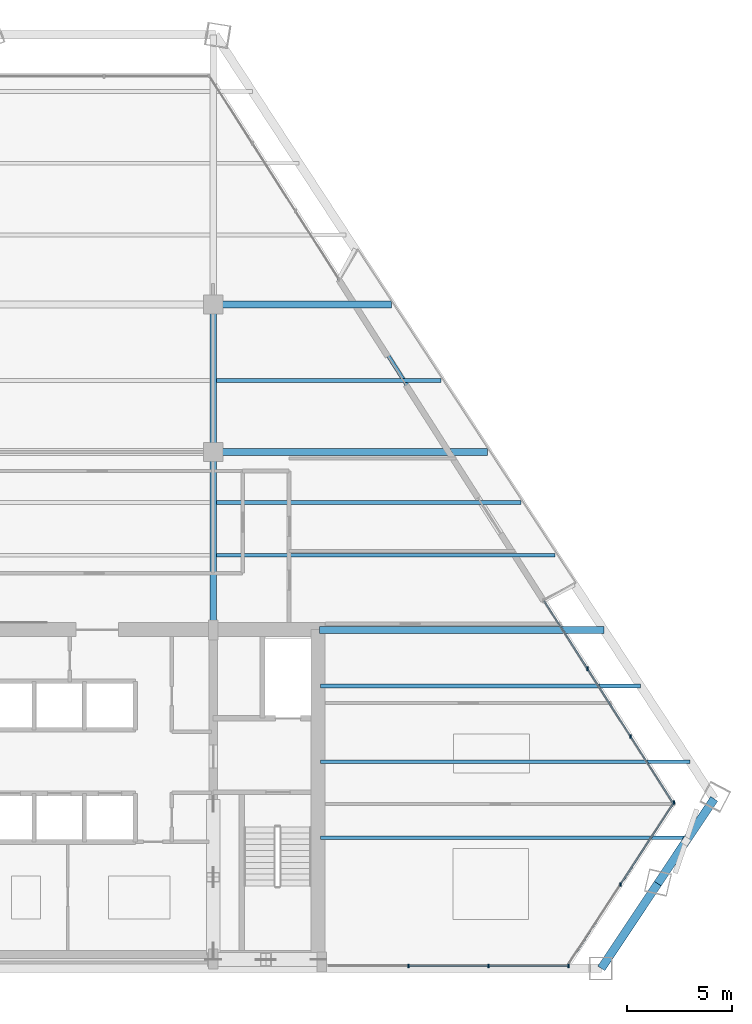
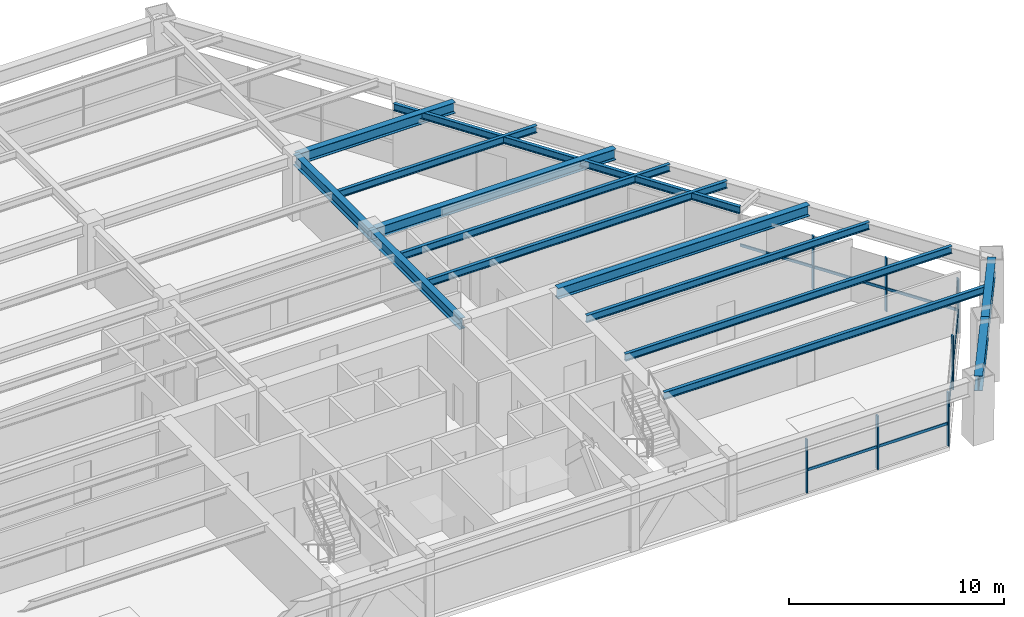
# One storey, part 6 of 15: 14 beams, 14 members, 3 elements without a shape of their own.
"""IFC4 building model written with IfcOpenShell, lengths in metres."""

import ifcopenshell
import ifcopenshell.guid

model = None  # the IFC model being written
_history = None  # IfcOwnerHistory: only IFC2X3 demands one
_inside = {}  # id of a spatial element -> (the spatial element, [elements in it])
_under = {}  # id of a project, library or spatial element -> (it, [spatial elements below it])
_declared = {}  # id of a project -> (the project, [libraries it declares])
_typed = {}  # id of a type object -> (the type object, [elements of that type])
_made_of = {}  # id of a material, layer set ... -> (it, [elements and type objects made of it])


def new_model(schema):
    """Start an empty IFC model of exactly this schema.

    Asked for "IFC4X3", IfcOpenShell would pick the latest addendum, in which some entities
    have other attributes; the version numbers below select the first issue.
    IFC2X3 requires an IfcOwnerHistory on every rooted entity: one is made here for all.
    """
    global model, _history
    if schema == "IFC4X3":
        model = ifcopenshell.file(schema_version=(4, 3, 0, 0))
    else:
        model = ifcopenshell.file(schema=schema)
    _inside.clear()
    _under.clear()
    _declared.clear()
    _typed.clear()
    _made_of.clear()
    _history = None
    if model.schema == "IFC2X3":
        org = make("IfcOrganization", Name="unknown")
        user = make(
            "IfcPersonAndOrganization",
            ThePerson=make("IfcPerson", FamilyName="unknown"),
            TheOrganization=org,
        )
        app = make(
            "IfcApplication",
            ApplicationDeveloper=org,
            Version="unknown",
            ApplicationFullName="unknown",
            ApplicationIdentifier="unknown",
        )
        _history = make(
            "IfcOwnerHistory",
            OwningUser=user,
            OwningApplication=app,
            ChangeAction="ADDED",
            CreationDate=0,
        )
    return model


def make(cls, **values):
    """One entity of the class cls with the attributes given. An attribute that is None is left unset."""
    return model.create_entity(
        cls, **{name: value for name, value in values.items() if value is not None}
    )


def rooted(cls, **values):
    """An entity with a GlobalId (a new one), such as an element, a storey or a relation."""
    return make(cls, GlobalId=ifcopenshell.guid.new(), OwnerHistory=_history, **values)


def si_unit(unit_type, name, prefix=None):
    """IfcSIUnit, for example si_unit("LENGTHUNIT", "METRE", prefix="MILLI")."""
    return make("IfcSIUnit", UnitType=unit_type, Prefix=prefix, Name=name)


def assignment(units):
    """IfcUnitAssignment: the units of a project."""
    return None if units is None else make("IfcUnitAssignment", Units=units)


def point(xyz):
    """IfcCartesianPoint."""
    return None if xyz is None else make("IfcCartesianPoint", Coordinates=xyz)


def direction(xyz):
    """IfcDirection."""
    return None if xyz is None else make("IfcDirection", DirectionRatios=xyz)


def frame(location, z_axis=None, x_axis=None):
    """IfcAxis2Placement3D, a coordinate frame: its origin and axes. An axis left out is left unset."""
    return make(
        "IfcAxis2Placement3D",
        Location=point(location),
        Axis=direction(z_axis),
        RefDirection=direction(x_axis),
    )


def frame_2d(location, x_axis=None):
    """IfcAxis2Placement2D, a coordinate frame in the plane: its origin and x axis."""
    return make(
        "IfcAxis2Placement2D", Location=point(location), RefDirection=direction(x_axis)
    )


def origin():
    """The frame at (0, 0, 0) with its axes left unset."""
    return frame((0.0, 0.0, 0.0))


def origin_2d():
    """The frame at (0, 0) in the plane with its x axis left unset."""
    return frame_2d((0.0, 0.0))


def place(relative_to, where):
    """IfcLocalPlacement: puts the frame where relative to a parent placement (None: the world)."""
    return make(
        "IfcLocalPlacement", PlacementRelTo=relative_to, RelativePlacement=where
    )


def context(
    kind, dimensions, precision=None, world=None, true_north=None, identifier=None
):
    """IfcGeometricRepresentationContext, for example the 3D "Model" context."""
    return make(
        "IfcGeometricRepresentationContext",
        ContextIdentifier=identifier,
        ContextType=kind,
        CoordinateSpaceDimension=dimensions,
        Precision=precision,
        WorldCoordinateSystem=world,
        TrueNorth=true_north,
    )


def subcontext(parent, identifier, kind, view, scale=None):
    """IfcGeometricRepresentationSubContext, for example "Body" below "Model"."""
    return make(
        "IfcGeometricRepresentationSubContext",
        ContextIdentifier=identifier,
        ContextType=kind,
        ParentContext=parent,
        TargetScale=scale,
        TargetView=view,
    )


def project(units=None, contexts=None):
    """IfcProject with its units and contexts."""
    return rooted(
        "IfcProject",
        Name="project",
        RepresentationContexts=contexts,
        UnitsInContext=assignment(units),
    )


def spatial(cls, under=None, at=None, **own):
    """A site, building, storey or space (cls), placed at a placement, below another one or the project."""
    s = rooted(cls, ObjectPlacement=at, **own)
    if under is not None:
        _under.setdefault(under.id(), (under, []))[1].append(s)
    return s


def profile(cls, at=None, kind="AREA", **sizes):
    """A parametric profile (cls). Its sizes go by their IFC names, for example OverallWidth=200.0."""
    return make(cls, ProfileType=kind, Position=at, **sizes)


def rectangle(**sizes):
    """IfcRectangleProfileDef."""
    return profile("IfcRectangleProfileDef", **sizes)


def i_section(**sizes):
    """IfcIShapeProfileDef."""
    return profile("IfcIShapeProfileDef", **sizes)


def extrude(swept, where, along, depth):
    """IfcExtrudedAreaSolid: the profile swept, set in the frame where, extruded along a direction by depth."""
    return make(
        "IfcExtrudedAreaSolid",
        SweptArea=swept,
        Position=where,
        ExtrudedDirection=direction(along),
        Depth=depth,
    )


def shape(context_of_items, identifier, shape_type, items):
    """IfcShapeRepresentation: the items that make up one representation, for example the "Body"."""
    return make(
        "IfcShapeRepresentation",
        ContextOfItems=context_of_items,
        RepresentationIdentifier=identifier,
        RepresentationType=shape_type,
        Items=items,
    )


def source(mapping_origin, context_of_items, identifier, shape_type, items):
    """IfcRepresentationMap: a shape defined once, which mapped items show again and again."""
    return make(
        "IfcRepresentationMap",
        MappingOrigin=mapping_origin,
        MappedRepresentation=shape(context_of_items, identifier, shape_type, items),
    )


def transform(
    local_origin,
    x_axis=None,
    y_axis=None,
    z_axis=None,
    scale=None,
    scale2=None,
    scale3=None,
    uniform=True,
):
    """IfcCartesianTransformationOperator3D, or its non-uniform kind. x_axis, y_axis, z_axis: its Axis1, 2, 3."""
    if uniform:
        return make(
            "IfcCartesianTransformationOperator3D",
            Axis1=direction(x_axis),
            Axis2=direction(y_axis),
            LocalOrigin=point(local_origin),
            Scale=scale,
            Axis3=direction(z_axis),
        )
    return make(
        "IfcCartesianTransformationOperator3DnonUniform",
        Axis1=direction(x_axis),
        Axis2=direction(y_axis),
        LocalOrigin=point(local_origin),
        Scale=scale,
        Axis3=direction(z_axis),
        Scale2=scale2,
        Scale3=scale3,
    )


def mapped(mapping_source, mapping_target):
    """IfcMappedItem: shows the shape of a source again, moved by a transform."""
    return make(
        "IfcMappedItem", MappingSource=mapping_source, MappingTarget=mapping_target
    )


def material(Name=None, Category=None):
    """IfcMaterial."""
    return make("IfcMaterial", Name=Name, Category=Category)


def material_profile(
    of_material, cross_section, Name=None, Category=None, Priority=None
):
    """IfcMaterialProfile: a cross section and its material."""
    return make(
        "IfcMaterialProfile",
        Name=Name,
        Material=of_material,
        Profile=cross_section,
        Priority=Priority,
        Category=Category,
    )


def profile_set(profiles, Name=None, composite=None):
    """IfcMaterialProfileSet."""
    return make(
        "IfcMaterialProfileSet",
        Name=Name,
        MaterialProfiles=profiles,
        CompositeProfile=composite,
    )


def made_of(thing, what):
    """Note that an element or type object is made of a material, layer set ...; save() writes the relation."""
    if what is not None:
        _made_of.setdefault(what.id(), (what, []))[1].append(thing)
    return thing


def type_object(cls, material=None, **own):
    """A type object (cls), such as IfcWallType, which elements share."""
    return made_of(rooted(cls, **own), material)


def type_shapes(of_type, sources):
    """Give a type object the sources (RepresentationMaps) that its elements show as mapped items."""
    of_type.RepresentationMaps = sources


def element(
    cls,
    number,
    at=None,
    inside=None,
    cuts=None,
    type_object=None,
    material=None,
    context=None,
    identifier="Body",
    shape_type=None,
    held_by="IfcProductDefinitionShape",
    body=None,
    shapes=None,
    **own,
):
    """One element of the class cls, such as IfcWall. Its Tag is "e" and its number.

    at: its placement. inside: the storey or other place that contains it. cuts: it is an
    opening in that element (IfcRelVoidsElement). A single representation is given by context,
    identifier, shape_type and body (its items); several are given by shapes. held_by: the class
    of the entity that holds the representations. save() writes the other relations.
    """
    e = rooted(cls, Tag="e%d" % number, ObjectPlacement=at, **own)
    if body is not None:
        shapes = [shape(context, identifier, shape_type, body)]
    if shapes is not None:
        e.Representation = make(held_by, Representations=shapes)
    if inside is not None:
        _inside.setdefault(inside.id(), (inside, []))[1].append(e)
    if cuts is not None:
        rooted(
            "IfcRelVoidsElement", RelatingBuildingElement=cuts, RelatedOpeningElement=e
        )
    if type_object is not None:
        _typed.setdefault(type_object.id(), (type_object, []))[1].append(e)
    return made_of(e, material)


def aggregate(whole, parts):
    """IfcRelAggregates: a whole, such as a stair, and the parts it consists of."""
    return rooted("IfcRelAggregates", RelatingObject=whole, RelatedObjects=parts)


def save(model, path):
    """Write the relations noted so far, then the file.

    IfcRelAggregates (storeys below a building ...), IfcRelContainedInSpatialStructure (elements
    in a storey), IfcRelDefinesByType, IfcRelAssociatesMaterial and IfcRelDeclares: one each for
    every whole, place, type object, material and project.
    """
    for whole, parts in _under.values():
        aggregate(whole, parts)
    for where, things in _inside.values():
        rooted(
            "IfcRelContainedInSpatialStructure",
            RelatedElements=things,
            RelatingStructure=where,
        )
    for kind, things in _typed.values():
        rooted("IfcRelDefinesByType", RelatedObjects=things, RelatingType=kind)
    for what, things in _made_of.values():
        rooted("IfcRelAssociatesMaterial", RelatedObjects=things, RelatingMaterial=what)
    for by, libraries in _declared.values():
        rooted("IfcRelDeclares", RelatingContext=by, RelatedDefinitions=libraries)
    model.write(path)


model = new_model("IFC4")

# Units and contexts
model_context = context("Model", 3, precision=1e-05, world=origin(), true_north=direction((0.0, 1.0)))
body_context = subcontext(model_context, "Body", "Model", "MODEL_VIEW")
ifc_project = project(units=[si_unit("LENGTHUNIT", "METRE"), si_unit("AREAUNIT", "SQUARE_METRE"), si_unit("VOLUMEUNIT", "CUBIC_METRE"), si_unit("PLANEANGLEUNIT", "RADIAN"), si_unit("MASSUNIT", "GRAM", prefix="KILO")], contexts=[model_context])

# Site, building, storey
site_placement = place(None, origin())
site = spatial("IfcSite", under=ifc_project, at=site_placement, CompositionType="ELEMENT")
building_placement = place(site_placement, origin())
building = spatial("IfcBuilding", under=site, at=building_placement, Name="Varnakhor Terracotta Tower", CompositionType="ELEMENT")
storey_placement = place(building_placement, frame((0.0, 0.0, 136.699951171875)))
storey = spatial("IfcBuildingStorey", under=building, at=storey_placement, Name="L34", CompositionType="ELEMENT", Elevation=136.699951171875)

# Beams
ifc_material_1 = material(Name="Steel S355", Category="steel")
ifc_material_profile_1 = material_profile(ifc_material_1, i_section(OverallWidth=0.324951171875, OverallDepth=0.615966796875, WebThickness=0.013916015625, FlangeThickness=0.02197265625, FilletRadius=0.01806640625, at=origin_2d()), Name="W24X117")
ifc_profile_set_1 = profile_set([ifc_material_profile_1], Name="Steel S355")
beam_type_1 = type_object("IfcBeamType", Name="BM-W24X117", PredefinedType="BEAM", material=ifc_profile_set_1)
shared_shape_1 = source(origin(), body_context, "Body", "SweptSolid", [
    extrude(i_section(OverallWidth=0.324951171875, OverallDepth=0.615966796875, WebThickness=0.013916015625, FlangeThickness=0.02197265625, FilletRadius=0.01806640625, at=origin_2d()), origin(), (0.0, 0.0, 1.0), 8.449951171875),
])
type_shapes(beam_type_1, [shared_shape_1])
beam_1_placement = place(storey_placement, frame((5.5, 16.050048828125, 3.162109375), z_axis=(0.0, 1.0, 0.0), x_axis=(-1.0, 0.0, 0.0)))
element("IfcBeam", 1, at=beam_1_placement, inside=storey, type_object=beam_type_1, Name="L34 Primary Girder NS1-E", PredefinedType="BEAM", context=body_context, shape_type="MappedRepresentation", body=[
    mapped(shared_shape_1, transform((0.0, 0.0, 0.0), scale=1.0)),
])
shared_shape_2 = source(origin(), body_context, "Body", "SweptSolid", [
    extrude(i_section(OverallWidth=0.324951171875, OverallDepth=0.615966796875, WebThickness=0.013916015625, FlangeThickness=0.02197265625, FilletRadius=0.01806640625, at=origin_2d()), origin(), (0.0, 0.0, 1.0), 7.0),
])
beam_2_placement = place(storey_placement, frame((5.5, 24.5, 3.162109375), z_axis=(0.0, 1.0, 0.0), x_axis=(-1.0, 0.0, 0.0)))
element("IfcBeam", 2, at=beam_2_placement, inside=storey, type_object=beam_type_1, Name="L34 Primary Girder NS2-E", PredefinedType="BEAM", context=body_context, shape_type="MappedRepresentation", body=[
    mapped(shared_shape_2, transform((0.0, 0.0, 0.0), scale=1.0)),
])
ifc_material_profile_2 = material_profile(ifc_material_1, i_section(OverallWidth=0.39990234375, OverallDepth=0.85498046875, WebThickness=0.01806640625, FlangeThickness=0.029052734375, FilletRadius=0.01806640625, at=origin_2d()), Name="W33X201")
ifc_profile_set_2 = profile_set([ifc_material_profile_2], Name="Steel S355")
beam_type_2 = type_object("IfcBeamType", Name="BM-W33X201", PredefinedType="BEAM", material=ifc_profile_set_2)
shared_shape_3 = source(origin(), body_context, "Body", "SweptSolid", [
    extrude(i_section(OverallWidth=0.39990234375, OverallDepth=0.85498046875, WebThickness=0.01806640625, FlangeThickness=0.029052734375, FilletRadius=0.01806640625, at=origin_2d()), origin(), (0.0, 0.0, 1.0), 4.8330078125),
])
for number, where, z_axis, x_axis, name in (
    (3, (23.912841796875, 0.0, 3.04248046875), (0.554292130367, 0.832322193753, 0.0), (-0.832322193753, 0.554292130367, 0.0), "L34 Perimeter Spandrel 2"),
    (4, (26.591796875, 4.022705078125, 3.04248046875), (0.554292130367, 0.832322193753, 0.0), (-0.832322193753, 0.554292130367, 0.0), "L34 Perimeter Spandrel 3"),
):
    element("IfcBeam", number, at=place(storey_placement, frame(where, z_axis=z_axis, x_axis=x_axis)), inside=storey, type_object=beam_type_2, Name=name, PredefinedType="BEAM", context=body_context, shape_type="MappedRepresentation", body=[
        mapped(shared_shape_3, transform((0.0, 0.0, 0.0), scale=1.0)),
    ])
ifc_material_profile_3 = material_profile(ifc_material_1, i_section(OverallWidth=0.179931640625, OverallDepth=0.39990234375, WebThickness=0.008544921875, FlangeThickness=0.013427734375, FilletRadius=0.01806640625, at=origin_2d()), Name="IPE400")
ifc_profile_set_3 = profile_set([ifc_material_profile_3], Name="Steel S355")
beam_type_3 = type_object("IfcBeamType", Name="JST-IPE400", PredefinedType="JOIST", material=ifc_profile_set_3)
shared_shape_4 = source(origin(), body_context, "Body", "SweptSolid", [
    extrude(i_section(OverallWidth=0.179931640625, OverallDepth=0.39990234375, WebThickness=0.008544921875, FlangeThickness=0.013427734375, FilletRadius=0.01806640625, at=origin_2d()), origin(), (0.0, 0.0, 1.0), 18.1328125),
])
beam_3_placement = place(storey_placement, frame((21.207763671875, 17.4462890625, 3.27001953125), z_axis=(-0.537399848663, 0.843327577313, 0.0), x_axis=(-0.843327577313, -0.537399848663, 0.0)))
element("IfcBeam", 5, at=beam_3_placement, inside=storey, type_object=beam_type_3, Name="L34 Loggia Edge Beam 1", PredefinedType="JOIST", context=body_context, shape_type="MappedRepresentation", body=[
    mapped(shared_shape_4, transform((0.0, 0.0, 0.0), scale=1.0)),
])
shared_shape_5 = source(origin(), body_context, "Body", "SweptSolid", [
    extrude(i_section(OverallWidth=0.324951171875, OverallDepth=0.615966796875, WebThickness=0.013916015625, FlangeThickness=0.02197265625, FilletRadius=0.01806640625, at=origin_2d()), origin(), (0.0, 0.0, 1.0), 13.4931640625),
])
beam_4_placement = place(storey_placement, frame((10.550048828125, 16.050048828125, 3.162109375), z_axis=(1.0, 0.0, 0.0), x_axis=(0.0, 1.0, 0.0)))
element("IfcBeam", 6, at=beam_4_placement, inside=storey, type_object=beam_type_1, Name="L34 Wing Girder E", PredefinedType="BEAM", context=body_context, shape_type="MappedRepresentation", body=[
    mapped(shared_shape_5, transform((0.0, 0.0, 0.0), scale=1.0)),
])
shared_shape_6 = source(origin(), body_context, "Body", "SweptSolid", [
    extrude(i_section(OverallWidth=0.324951171875, OverallDepth=0.615966796875, WebThickness=0.013916015625, FlangeThickness=0.02197265625, FilletRadius=0.01806640625, at=origin_2d()), origin(), (0.0, 0.0, 1.0), 13.0244140625),
])
beam_5_placement = place(storey_placement, frame((5.5, 24.5, 3.162109375), z_axis=(1.0, 0.0, 0.0), x_axis=(0.0, 1.0, 0.0)))
element("IfcBeam", 7, at=beam_5_placement, inside=storey, type_object=beam_type_1, Name="L34 Primary Girder EW2-3", PredefinedType="BEAM", context=body_context, shape_type="MappedRepresentation", body=[
    mapped(shared_shape_6, transform((0.0, 0.0, 0.0), scale=1.0)),
])
shared_shape_7 = source(origin(), body_context, "Body", "SweptSolid", [
    extrude(i_section(OverallWidth=0.324951171875, OverallDepth=0.615966796875, WebThickness=0.013916015625, FlangeThickness=0.02197265625, FilletRadius=0.01806640625, at=origin_2d()), origin(), (0.0, 0.0, 1.0), 8.452880859375),
])
beam_6_placement = place(storey_placement, frame((5.5, 31.5, 3.162109375), z_axis=(1.0, 0.0, 0.0), x_axis=(0.0, 1.0, 0.0)))
element("IfcBeam", 8, at=beam_6_placement, inside=storey, type_object=beam_type_1, Name="L34 Primary Girder EW3-3", PredefinedType="BEAM", context=body_context, shape_type="MappedRepresentation", body=[
    mapped(shared_shape_7, transform((0.0, 0.0, 0.0), scale=1.0)),
])
ifc_material_profile_4 = material_profile(ifc_material_1, i_section(OverallWidth=0.179931640625, OverallDepth=0.4130859375, WebThickness=0.009765625, FlangeThickness=0.01611328125, FilletRadius=0.01806640625, at=origin_2d()), Name="W16X50")
ifc_profile_set_4 = profile_set([ifc_material_profile_4], Name="Steel S355")
beam_type_4 = type_object("IfcBeamType", Name="JST-W16X50", PredefinedType="JOIST", material=ifc_profile_set_4)
shared_shape_8 = source(origin(), body_context, "Body", "SweptSolid", [
    extrude(i_section(OverallWidth=0.179931640625, OverallDepth=0.4130859375, WebThickness=0.009765625, FlangeThickness=0.01611328125, FilletRadius=0.01806640625, at=origin_2d()), origin(), (0.0, 0.0, 1.0), 17.441650390625),
])
beam_7_placement = place(storey_placement, frame((10.60009765625, 6.199951171875, 3.263427734375), z_axis=(1.0, 0.0, 0.0), x_axis=(0.0, 1.0, 0.0)))
element("IfcBeam", 9, at=beam_7_placement, inside=storey, type_object=beam_type_4, Name="L34 Floor Joist E1", PredefinedType="JOIST", context=body_context, shape_type="MappedRepresentation", body=[
    mapped(shared_shape_8, transform((0.0, 0.0, 0.0), scale=1.0)),
])
shared_shape_9 = source(origin(), body_context, "Body", "SweptSolid", [
    extrude(i_section(OverallWidth=0.179931640625, OverallDepth=0.4130859375, WebThickness=0.009765625, FlangeThickness=0.01611328125, FilletRadius=0.01806640625, at=origin_2d()), origin(), (0.0, 0.0, 1.0), 17.52490234375),
])
beam_8_placement = place(storey_placement, frame((10.60009765625, 9.800048828125, 3.263427734375), z_axis=(1.0, 0.0, 0.0), x_axis=(0.0, 1.0, 0.0)))
element("IfcBeam", 10, at=beam_8_placement, inside=storey, type_object=beam_type_4, Name="L34 Floor Joist E2", PredefinedType="JOIST", context=body_context, shape_type="MappedRepresentation", body=[
    mapped(shared_shape_9, transform((0.0, 0.0, 0.0), scale=1.0)),
])
shared_shape_10 = source(origin(), body_context, "Body", "SweptSolid", [
    extrude(i_section(OverallWidth=0.179931640625, OverallDepth=0.4130859375, WebThickness=0.009765625, FlangeThickness=0.01611328125, FilletRadius=0.01806640625, at=origin_2d()), origin(), (0.0, 0.0, 1.0), 15.173583984375),
])
beam_9_placement = place(storey_placement, frame((10.60009765625, 13.39990234375, 3.263427734375), z_axis=(1.0, 0.0, 0.0), x_axis=(0.0, 1.0, 0.0)))
element("IfcBeam", 11, at=beam_9_placement, inside=storey, type_object=beam_type_4, Name="L34 Floor Joist E3", PredefinedType="JOIST", context=body_context, shape_type="MappedRepresentation", body=[
    mapped(shared_shape_10, transform((0.0, 0.0, 0.0), scale=1.0)),
])
shared_shape_11 = source(origin(), body_context, "Body", "SweptSolid", [
    extrude(i_section(OverallWidth=0.179931640625, OverallDepth=0.4130859375, WebThickness=0.009765625, FlangeThickness=0.01611328125, FilletRadius=0.01806640625, at=origin_2d()), origin(), (0.0, 0.0, 1.0), 16.066162109375),
])
beam_10_placement = place(storey_placement, frame((5.658447265625, 19.60009765625, 3.263427734375), z_axis=(1.0, 0.0, 0.0), x_axis=(0.0, 1.0, 0.0)))
element("IfcBeam", 12, at=beam_10_placement, inside=storey, type_object=beam_type_4, Name="L34 Composite Floor Joist 4-3", PredefinedType="JOIST", context=body_context, shape_type="MappedRepresentation", body=[
    mapped(shared_shape_11, transform((0.0, 0.0, 0.0), scale=1.0)),
])
shared_shape_12 = source(origin(), body_context, "Body", "SweptSolid", [
    extrude(i_section(OverallWidth=0.179931640625, OverallDepth=0.4130859375, WebThickness=0.009765625, FlangeThickness=0.01611328125, FilletRadius=0.01806640625, at=origin_2d()), origin(), (0.0, 0.0, 1.0), 14.433349609375),
])
beam_11_placement = place(storey_placement, frame((5.658447265625, 22.10009765625, 3.263427734375), z_axis=(1.0, 0.0, 0.0), x_axis=(0.0, 1.0, 0.0)))
element("IfcBeam", 13, at=beam_11_placement, inside=storey, type_object=beam_type_4, Name="L34 Composite Floor Joist 5-3", PredefinedType="JOIST", context=body_context, shape_type="MappedRepresentation", body=[
    mapped(shared_shape_12, transform((0.0, 0.0, 0.0), scale=1.0)),
])
shared_shape_13 = source(origin(), body_context, "Body", "SweptSolid", [
    extrude(i_section(OverallWidth=0.179931640625, OverallDepth=0.4130859375, WebThickness=0.009765625, FlangeThickness=0.01611328125, FilletRadius=0.01806640625, at=origin_2d()), origin(), (0.0, 0.0, 1.0), 10.6455078125),
])
beam_12_placement = place(storey_placement, frame((5.658447265625, 27.89990234375, 3.263427734375), z_axis=(1.0, 0.0, 0.0), x_axis=(0.0, 1.0, 0.0)))
element("IfcBeam", 14, at=beam_12_placement, inside=storey, type_object=beam_type_4, Name="L34 Composite Floor Joist 6-3", PredefinedType="JOIST", context=body_context, shape_type="MappedRepresentation", body=[
    mapped(shared_shape_13, transform((0.0, 0.0, 0.0), scale=1.0)),
])

# Curtain wall, members
ifc_material_2 = material(Name="Anodised Aluminium Curtain Wall System", Category="aluminium")
curtain_wall_type = type_object("IfcCurtainWallType", Name="CW-SYS-MID-OFFICE", PredefinedType="NOTDEFINED", material=ifc_material_2)
curtain_wall_1_placement = place(storey_placement, origin())
curtain_wall_1 = element("IfcCurtainWall", 15, at=curtain_wall_1_placement, inside=storey, type_object=curtain_wall_type, Name="L34 E Facet Curtain Wall 2", PredefinedType="NOTDEFINED")
ifc_material_3 = material(Name="Anodised Aluminium 6063-T6", Category="aluminium")
ifc_material_profile_5 = material_profile(ifc_material_3, rectangle(XDim=0.070068359375, YDim=0.175048828125, at=origin_2d()), Name="ALU MULLION 70x175")
ifc_profile_set_5 = profile_set([ifc_material_profile_5], Name="Anodised Aluminium 6063-T6")
member_type_1 = type_object("IfcMemberType", Name="CWM-03", PredefinedType="MULLION", material=ifc_profile_set_5)
shared_shape_14 = source(origin(), body_context, "Body", "SweptSolid", [
    extrude(rectangle(XDim=0.070068359375, YDim=0.175048828125, at=origin_2d()), origin(), (0.0, 0.0, 1.0), 3.050048828125),
])
member_1_placement = place(storey_placement, frame((23.2548828125, 14.21533203125, 0.0), z_axis=(0.0, 0.0, 1.0), x_axis=(1.0, 0.0, 0.0)))
member_1 = element("IfcMember", 16, at=member_1_placement, type_object=member_type_1, Name="L34 E Facet Curtain Wall 2 Mullion 2", PredefinedType="MULLION", context=body_context, shape_type="MappedRepresentation", body=[
    mapped(shared_shape_14, transform((0.0, 0.0, 0.0), scale=1.0)),
])
member_2_placement = place(storey_placement, frame((25.30517578125, 11.000244140625, 0.0), z_axis=(0.0, 0.0, 1.0), x_axis=(1.0, 0.0, 0.0)))
member_2 = element("IfcMember", 17, at=member_2_placement, type_object=member_type_1, Name="L34 E Facet Curtain Wall 2 Mullion 3", PredefinedType="MULLION", context=body_context, shape_type="MappedRepresentation", body=[
    mapped(shared_shape_14, transform((0.0, 0.0, 0.0), scale=1.0)),
])

curtain_wall_2_placement = place(storey_placement, origin())
curtain_wall_2 = element("IfcCurtainWall", 18, at=curtain_wall_2_placement, inside=storey, type_object=curtain_wall_type, Name="L34 Facet Curtain Wall 4", PredefinedType="NOTDEFINED")
member_3_placement = place(storey_placement, frame((27.355712890625, 7.864990234375, 0.0), z_axis=(0.0, 0.0, 1.0), x_axis=(1.0, 0.0, 0.0)))
member_3 = element("IfcMember", 19, at=member_3_placement, type_object=member_type_1, Name="L34 Facet Curtain Wall 4 Mullion 1", PredefinedType="MULLION", context=body_context, shape_type="MappedRepresentation", body=[
    mapped(shared_shape_14, transform((0.0, 0.0, 0.0), scale=1.0)),
])
member_4_placement = place(storey_placement, frame((24.81787109375, 3.977783203125, 0.0), z_axis=(0.0, 0.0, 1.0), x_axis=(1.0, 0.0, 0.0)))
member_4 = element("IfcMember", 20, at=member_4_placement, type_object=member_type_1, Name="L34 Facet Curtain Wall 4 Mullion 2", PredefinedType="MULLION", context=body_context, shape_type="MappedRepresentation", body=[
    mapped(shared_shape_14, transform((0.0, 0.0, 0.0), scale=1.0)),
])

curtain_wall_3_placement = place(storey_placement, origin())
curtain_wall_3 = element("IfcCurtainWall", 21, at=curtain_wall_3_placement, inside=storey, type_object=curtain_wall_type, Name="L34 South Wing Curtain Wall SSE", PredefinedType="NOTDEFINED")
member_5_placement = place(storey_placement, frame((22.35400390625, 0.1201171875, 0.0), z_axis=(0.0, 0.0, 1.0), x_axis=(1.0, 0.0, 0.0)))
member_5 = element("IfcMember", 22, at=member_5_placement, type_object=member_type_1, Name="L34 South Wing Curtain Wall SSE Mullion 1", PredefinedType="MULLION", context=body_context, shape_type="MappedRepresentation", body=[
    mapped(shared_shape_14, transform((0.0, 0.0, 0.0), scale=1.0)),
])
member_6_placement = place(storey_placement, frame((18.559326171875, 0.1201171875, 0.0), z_axis=(0.0, 0.0, 1.0), x_axis=(1.0, 0.0, 0.0)))
member_6 = element("IfcMember", 23, at=member_6_placement, type_object=member_type_1, Name="L34 South Wing Curtain Wall SSE Mullion 2", PredefinedType="MULLION", context=body_context, shape_type="MappedRepresentation", body=[
    mapped(shared_shape_14, transform((0.0, 0.0, 0.0), scale=1.0)),
])
member_7_placement = place(storey_placement, frame((14.7646484375, 0.1201171875, 0.0), z_axis=(0.0, 0.0, 1.0), x_axis=(1.0, 0.0, 0.0)))
member_7 = element("IfcMember", 24, at=member_7_placement, type_object=member_type_1, Name="L34 South Wing Curtain Wall SSE Mullion 3", PredefinedType="MULLION", context=body_context, shape_type="MappedRepresentation", body=[
    mapped(shared_shape_14, transform((0.0, 0.0, 0.0), scale=1.0)),
])

# Member
ifc_material_profile_6 = material_profile(ifc_material_3, rectangle(XDim=0.070068359375, YDim=0.155029296875, at=origin_2d()), Name="ALU TRANSOM 70x155")
ifc_profile_set_6 = profile_set([ifc_material_profile_6], Name="Anodised Aluminium 6063-T6")
member_type_2 = type_object("IfcMemberType", Name="CWT-03", PredefinedType="USERDEFINED", material=ifc_profile_set_6)
shared_shape_15 = source(origin(), body_context, "Body", "SweptSolid", [
    extrude(rectangle(XDim=0.070068359375, YDim=0.155029296875, at=origin_2d()), origin(), (0.0, 0.0, 1.0), 3.81298828125),
])
member_8_placement = place(storey_placement, frame((21.204833984375, 17.430419921875, 1.281005859375), z_axis=(0.537637575012, -0.843176042079, 0.0), x_axis=(0.843176042079, 0.537637575012, 0.0)))
member_8 = element("IfcMember", 25, at=member_8_placement, type_object=member_type_2, Name="L34 E Facet Curtain Wall 2 Transom 1", ObjectType="TRANSOM", PredefinedType="USERDEFINED", context=body_context, shape_type="MappedRepresentation", body=[
    mapped(shared_shape_15, transform((0.0, 0.0, 0.0), scale=1.0)),
])

shared_shape_16 = source(origin(), body_context, "Body", "SweptSolid", [
    extrude(rectangle(XDim=0.070068359375, YDim=0.155029296875, at=origin_2d()), origin(), (0.0, 0.0, 1.0), 3.813232421875),
])
member_9_placement = place(storey_placement, frame((23.2548828125, 14.21533203125, 1.281005859375), z_axis=(0.537683092633, -0.843147016775, 0.0), x_axis=(0.843147016775, 0.537683092633, 0.0)))
member_9 = element("IfcMember", 26, at=member_9_placement, type_object=member_type_2, Name="L34 E Facet Curtain Wall 2 Transom 2", ObjectType="TRANSOM", PredefinedType="USERDEFINED", context=body_context, shape_type="MappedRepresentation", body=[
    mapped(shared_shape_16, transform((0.0, 0.0, 0.0), scale=1.0)),
])

shared_shape_17 = source(origin(), body_context, "Body", "SweptSolid", [
    extrude(rectangle(XDim=0.070068359375, YDim=0.155029296875, at=origin_2d()), origin(), (0.0, 0.0, 1.0), 3.812744140625),
])
member_10_placement = place(storey_placement, frame((25.30517578125, 11.000244140625, 1.281005859375), z_axis=(0.537666601334, -0.843157533211, 0.0), x_axis=(0.843157533211, 0.537666601334, 0.0)))
member_10 = element("IfcMember", 27, at=member_10_placement, type_object=member_type_2, Name="L34 E Facet Curtain Wall 2 Transom 3", ObjectType="TRANSOM", PredefinedType="USERDEFINED", context=body_context, shape_type="MappedRepresentation", body=[
    mapped(shared_shape_17, transform((0.0, 0.0, 0.0), scale=1.0)),
])

aggregate(curtain_wall_1, [member_8, member_1, member_9, member_2, member_10])

shared_shape_18 = source(origin(), body_context, "Body", "SweptSolid", [
    extrude(rectangle(XDim=0.070068359375, YDim=0.155029296875, at=origin_2d()), origin(), (0.0, 0.0, 1.0), 4.642333984375),
])
member_11_placement = place(storey_placement, frame((27.355712890625, 7.864990234375, 1.281005859375), z_axis=(-0.546676790281, -0.83734370898, 0.0), x_axis=(0.83734370898, -0.546676790281, 0.0)))
member_11 = element("IfcMember", 28, at=member_11_placement, type_object=member_type_2, Name="L34 Facet Curtain Wall 4 Transom 1", ObjectType="TRANSOM", PredefinedType="USERDEFINED", context=body_context, shape_type="MappedRepresentation", body=[
    mapped(shared_shape_18, transform((0.0, 0.0, 0.0), scale=1.0)),
])

shared_shape_19 = source(origin(), body_context, "Body", "SweptSolid", [
    extrude(rectangle(XDim=0.070068359375, YDim=0.155029296875, at=origin_2d()), origin(), (0.0, 0.0, 1.0), 4.64208984375),
])
member_12_placement = place(storey_placement, frame((24.81787109375, 3.977783203125, 1.281005859375), z_axis=(-0.546700864687, -0.837327991023, 0.0), x_axis=(0.837327991023, -0.546700864687, 0.0)))
member_12 = element("IfcMember", 29, at=member_12_placement, type_object=member_type_2, Name="L34 Facet Curtain Wall 4 Transom 2", ObjectType="TRANSOM", PredefinedType="USERDEFINED", context=body_context, shape_type="MappedRepresentation", body=[
    mapped(shared_shape_19, transform((0.0, 0.0, 0.0), scale=1.0)),
])

aggregate(curtain_wall_2, [member_3, member_11, member_4, member_12])

shared_shape_20 = source(origin(), body_context, "Body", "SweptSolid", [
    extrude(rectangle(XDim=0.070068359375, YDim=0.155029296875, at=origin_2d()), origin(), (0.0, 0.0, 1.0), 3.794677734375),
])
member_13_placement = place(storey_placement, frame((22.35400390625, 0.1201171875, 1.281005859375), z_axis=(-1.0, 0.0, 0.0), x_axis=(0.0, -1.0, 0.0)))
member_13 = element("IfcMember", 30, at=member_13_placement, type_object=member_type_2, Name="L34 South Wing Curtain Wall SSE Transom 1", ObjectType="TRANSOM", PredefinedType="USERDEFINED", context=body_context, shape_type="MappedRepresentation", body=[
    mapped(shared_shape_20, transform((0.0, 0.0, 0.0), scale=1.0)),
])

member_14_placement = place(storey_placement, frame((18.559326171875, 0.1201171875, 1.281005859375), z_axis=(-1.0, 0.0, 0.0), x_axis=(0.0, -1.0, 0.0)))
member_14 = element("IfcMember", 31, at=member_14_placement, type_object=member_type_2, Name="L34 South Wing Curtain Wall SSE Transom 2", ObjectType="TRANSOM", PredefinedType="USERDEFINED", context=body_context, shape_type="MappedRepresentation", body=[
    mapped(shared_shape_20, transform((0.0, 0.0, 0.0), scale=1.0)),
])

aggregate(curtain_wall_3, [member_5, member_13, member_6, member_14, member_7])

save(model, "model.ifc")
